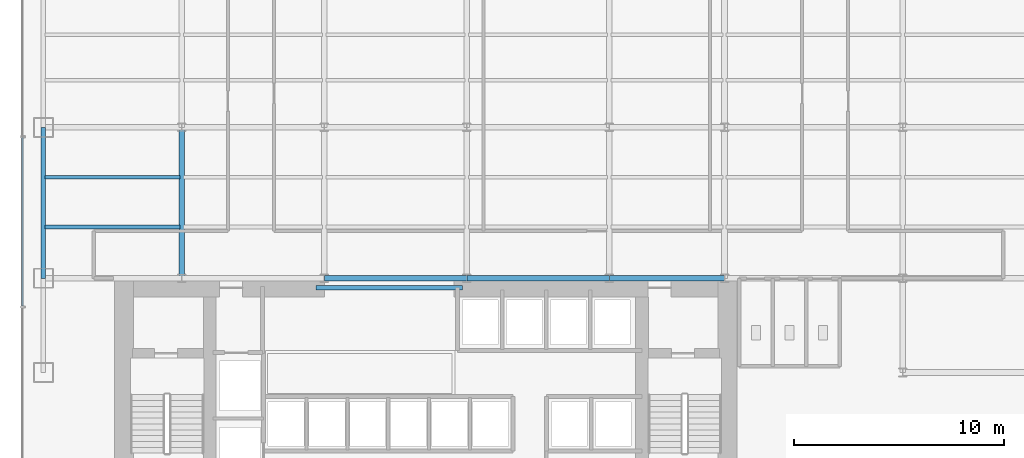
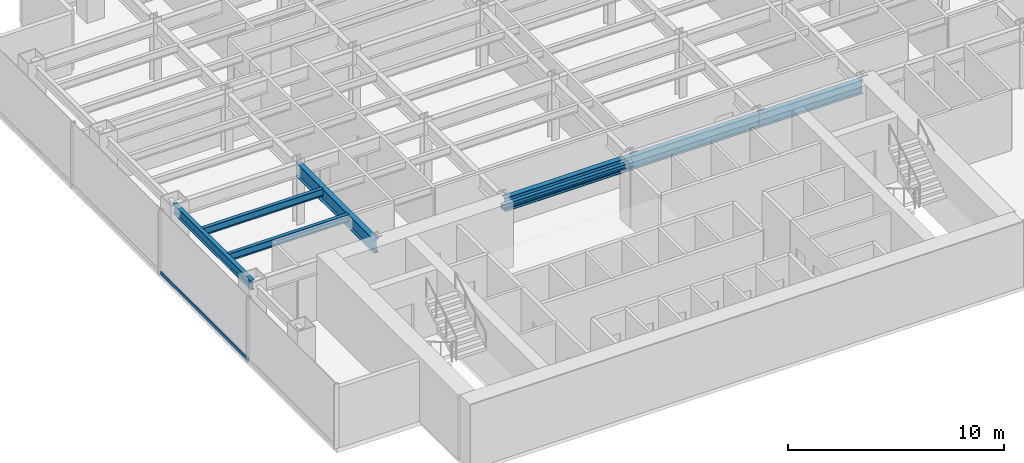
# One storey, part 3 of 23: 8 beams, 1 member, 1 element without a shape of its own.
"""IFC4 building model written with IfcOpenShell, lengths in metres."""

from ifc_helpers import new_model, si_unit, derived_unit, direction, frame, origin, origin_2d, place, context, subcontext, project, spatial, hollow_rectangle, i_section, extrude, source, transform, mapped, material, material_profile, profile_set, type_object, element, aggregate, save


model = new_model("IFC4")

# Units and contexts
model_context = context("Model", 3, precision=1e-05, world=origin(), true_north=direction((0.0, 1.0)))
body_context = subcontext(model_context, "Body", "Model", "MODEL_VIEW")
ifc_project = project(units=[si_unit("LENGTHUNIT", "METRE"), si_unit("AREAUNIT", "SQUARE_METRE"), si_unit("VOLUMEUNIT", "CUBIC_METRE"), si_unit("PLANEANGLEUNIT", "RADIAN"), si_unit("MASSUNIT", "GRAM", prefix="KILO"), derived_unit("THERMALTRANSMITTANCEUNIT", [(si_unit("POWERUNIT", "WATT"), 1), (si_unit("LENGTHUNIT", "METRE"), -2), (si_unit("THERMODYNAMICTEMPERATUREUNIT", "KELVIN"), -1)])], contexts=[model_context])

# Site, building, storey
site_placement = place(None, origin())
site = spatial("IfcSite", under=ifc_project, at=site_placement, CompositionType="ELEMENT")
building_placement = place(site_placement, origin())
building = spatial("IfcBuilding", under=site, at=building_placement, Name="Skarnbrae Concourse Arena and Tower", CompositionType="ELEMENT")
storey_placement = place(building_placement, frame((0.0, 0.0, 54.39990234375)))
storey = spatial("IfcBuildingStorey", under=building, at=storey_placement, Name="L12", CompositionType="ELEMENT", Elevation=54.39990234375)

# Beams
ifc_material_1 = material(Name="Steel CSA G40.21 350W", Category="steel")
ifc_material_profile_1 = material_profile(ifc_material_1, i_section(OverallWidth=0.202880859375, OverallDepth=0.251953125, WebThickness=0.008056640625, FlangeThickness=0.013427734375, at=origin_2d()), Name="W250X58")
ifc_profile_set_1 = profile_set([ifc_material_profile_1], Name="Steel CSA G40.21 350W")
beam_type_1 = type_object("IfcBeamType", Name="BM-LINTEL-W250X58", PredefinedType="LINTEL", material=ifc_profile_set_1)
shared_shape_1 = source(origin(), body_context, "Body", "SweptSolid", [
    extrude(i_section(OverallWidth=0.202880859375, OverallDepth=0.251953125, WebThickness=0.008056640625, FlangeThickness=0.013427734375, at=origin_2d()), origin(), (0.0, 0.0, 1.0), 7.0),
])
beam_1_placement = place(storey_placement, frame((14.0, 13.550048828125, 3.274169921875), z_axis=(1.0, 0.0, 0.0), x_axis=(0.0, 1.0, 0.0)))
element("IfcBeam", 1, at=beam_1_placement, inside=storey, type_object=beam_type_1, Name="L12 Core portal coupling lintel", PredefinedType="LINTEL", context=body_context, shape_type="MappedRepresentation", body=[
    mapped(shared_shape_1, transform((0.0, 0.0, 0.0))),
])
ifc_material_profile_2 = material_profile(ifc_material_1, i_section(OverallWidth=0.26806640625, OverallDepth=0.77001953125, WebThickness=0.015625, FlangeThickness=0.025390625, at=origin_2d()), Name="W760X196")
ifc_profile_set_2 = profile_set([ifc_material_profile_2], Name="Steel CSA G40.21 350W")
beam_type_2 = type_object("IfcBeamType", Name="BM-GIRD-W760X196", PredefinedType="BEAM", material=ifc_profile_set_2)
shared_shape_2 = source(origin(), body_context, "Body", "SweptSolid", [
    extrude(i_section(OverallWidth=0.26806640625, OverallDepth=0.77001953125, WebThickness=0.015625, FlangeThickness=0.025390625, at=origin_2d()), origin(), (0.0, 0.0, 1.0), 6.800048828125),
])
for number, where, z_axis, x_axis, name in (
    (2, (14.39990234375, 14.0, 3.01513671875), (1.0, 0.0, 0.0), (0.0, 1.0, 0.0), "L12 Primary E-W girder Y14.0-3"),
    (3, (21.199951171875, 14.0, 3.01513671875), (1.0, 0.0, 0.0), (0.0, 1.0, 0.0), "L12 Primary E-W girder Y14.0-4"),
):
    element("IfcBeam", number, at=place(storey_placement, frame(where, z_axis=z_axis, x_axis=x_axis)), inside=storey, type_object=beam_type_2, Name=name, PredefinedType="BEAM", context=body_context, shape_type="MappedRepresentation", body=[
        mapped(shared_shape_2, transform((0.0, 0.0, 0.0))),
    ])
shared_shape_3 = source(origin(), body_context, "Body", "SweptSolid", [
    extrude(i_section(OverallWidth=0.26806640625, OverallDepth=0.77001953125, WebThickness=0.015625, FlangeThickness=0.025390625, at=origin_2d()), origin(), (0.0, 0.0, 1.0), 5.5),
])
beam_2_placement = place(storey_placement, frame((28.0, 14.0, 3.01513671875), z_axis=(1.0, 0.0, 0.0), x_axis=(0.0, 1.0, 0.0)))
element("IfcBeam", 4, at=beam_2_placement, inside=storey, type_object=beam_type_2, Name="L12 Primary E-W girder Y14.0-5", PredefinedType="BEAM", context=body_context, shape_type="MappedRepresentation", body=[
    mapped(shared_shape_3, transform((0.0, 0.0, 0.0))),
])
ifc_material_profile_3 = material_profile(ifc_material_1, i_section(OverallWidth=0.214111328125, OverallDepth=0.549072265625, WebThickness=0.0146484375, FlangeThickness=0.023681640625, at=origin_2d()), Name="W530X138")
ifc_profile_set_3 = profile_set([ifc_material_profile_3], Name="Steel CSA G40.21 350W")
beam_type_3 = type_object("IfcBeamType", Name="BM-SPAN-W530X138", PredefinedType="SPANDREL", material=ifc_profile_set_3)
shared_shape_4 = source(origin(), body_context, "Body", "SweptSolid", [
    extrude(i_section(OverallWidth=0.214111328125, OverallDepth=0.549072265625, WebThickness=0.0146484375, FlangeThickness=0.023681640625, at=origin_2d()), origin(), (0.0, 0.0, 1.0), 7.199951171875),
])
beam_3_placement = place(storey_placement, frame((1.0, 14.0, 3.12548828125), z_axis=(0.0, 1.0, 0.0), x_axis=(-1.0, 0.0, 0.0)))
element("IfcBeam", 5, at=beam_3_placement, inside=storey, type_object=beam_type_3, Name="L12 Perimeter spandrel X1.0-2", PredefinedType="SPANDREL", context=body_context, shape_type="MappedRepresentation", body=[
    mapped(shared_shape_4, transform((0.0, 0.0, 0.0))),
])
shared_shape_5 = source(origin(), body_context, "Body", "SweptSolid", [
    extrude(i_section(OverallWidth=0.26806640625, OverallDepth=0.77001953125, WebThickness=0.015625, FlangeThickness=0.025390625, at=origin_2d()), origin(), (0.0, 0.0, 1.0), 7.199951171875),
])
beam_4_placement = place(storey_placement, frame((7.60009765625, 14.0, 3.01513671875), z_axis=(0.0, 1.0, 0.0), x_axis=(-1.0, 0.0, 0.0)))
element("IfcBeam", 6, at=beam_4_placement, inside=storey, type_object=beam_type_2, Name="L12 Primary N-S girder X7.6-1", PredefinedType="BEAM", context=body_context, shape_type="MappedRepresentation", body=[
    mapped(shared_shape_5, transform((0.0, 0.0, 0.0))),
])
ifc_material_profile_4 = material_profile(ifc_material_1, i_section(OverallWidth=0.180908203125, OverallDepth=0.4169921875, WebThickness=0.010986328125, FlangeThickness=0.018310546875, at=origin_2d()), Name="W410X85")
ifc_profile_set_4 = profile_set([ifc_material_profile_4], Name="Steel CSA G40.21 350W")
beam_type_4 = type_object("IfcBeamType", Name="BM-JOIST-W410X85", PredefinedType="JOIST", material=ifc_profile_set_4)
shared_shape_6 = source(origin(), body_context, "Body", "SweptSolid", [
    extrude(i_section(OverallWidth=0.180908203125, OverallDepth=0.4169921875, WebThickness=0.010986328125, FlangeThickness=0.018310546875, at=origin_2d()), origin(), (0.0, 0.0, 1.0), 6.43994140625),
])
for number, where, z_axis, x_axis, name in (
    (7, (1.080078125, 16.447998046875, 3.191650390625), (1.0, 0.0, 0.0), (0.0, 1.0, 0.0), "L12 Secondary floor joist 1.1.1"),
    (8, (1.080078125, 18.823974609375, 3.191650390625), (1.0, 0.0, 0.0), (0.0, 1.0, 0.0), "L12 Secondary floor joist 1.2.1"),
):
    element("IfcBeam", number, at=place(storey_placement, frame(where, z_axis=z_axis, x_axis=x_axis)), inside=storey, type_object=beam_type_4, Name=name, PredefinedType="JOIST", context=body_context, shape_type="MappedRepresentation", body=[
        mapped(shared_shape_6, transform((0.0, 0.0, 0.0))),
    ])

# Curtain wall, member
ifc_material_2 = material(Name="Bronze anodised aluminium 6063-T6", Category="aluminium")
curtain_wall_type = type_object("IfcCurtainWallType", Name="CW-SYS-02-LOWZONE", PredefinedType="USERDEFINED", material=ifc_material_2)
curtain_wall_placement = place(storey_placement, origin())
curtain_wall = element("IfcCurtainWall", 9, at=curtain_wall_placement, inside=storey, type_object=curtain_wall_type, Name="L12 Unitised curtain wall CW-L12-E19", ObjectType="UNITISED CURTAIN WALL", PredefinedType="USERDEFINED")
ifc_material_profile_5 = material_profile(ifc_material_2, hollow_rectangle(XDim=0.080078125, YDim=0.18994140625, WallThickness=0.0048828125, at=origin_2d()), Name="ALU-TRAN-80X190")
ifc_profile_set_5 = profile_set([ifc_material_profile_5], Name="Bronze anodised aluminium 6063-T6")
member_type = type_object("IfcMemberType", Name="CWT-CW-02", PredefinedType="USERDEFINED", material=ifc_profile_set_5)
shared_shape_7 = source(origin(), body_context, "Body", "SweptSolid", [
    extrude(hollow_rectangle(XDim=0.080078125, YDim=0.18994140625, WallThickness=0.0048828125, at=origin_2d()), origin(), (0.0, 0.0, 1.0), 8.044921875),
])
member_placement = place(storey_placement, frame((0.0, 20.7099609375, 0.09521484375), z_axis=(0.0, -1.0, 0.0), x_axis=(1.0, 0.0, 0.0)))
member = element("IfcMember", 10, at=member_placement, type_object=member_type, Name="CW-L12-E19 Transom 3", ObjectType="TRANSOM", PredefinedType="USERDEFINED", context=body_context, shape_type="MappedRepresentation", body=[
    mapped(shared_shape_7, transform((0.0, 0.0, 0.0))),
])
aggregate(curtain_wall, [member])

save(model, "model.ifc")
